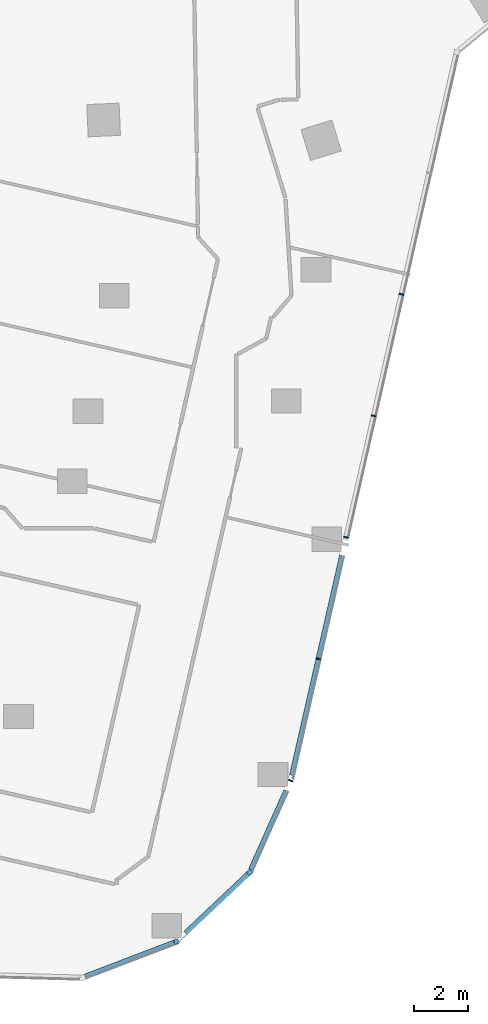
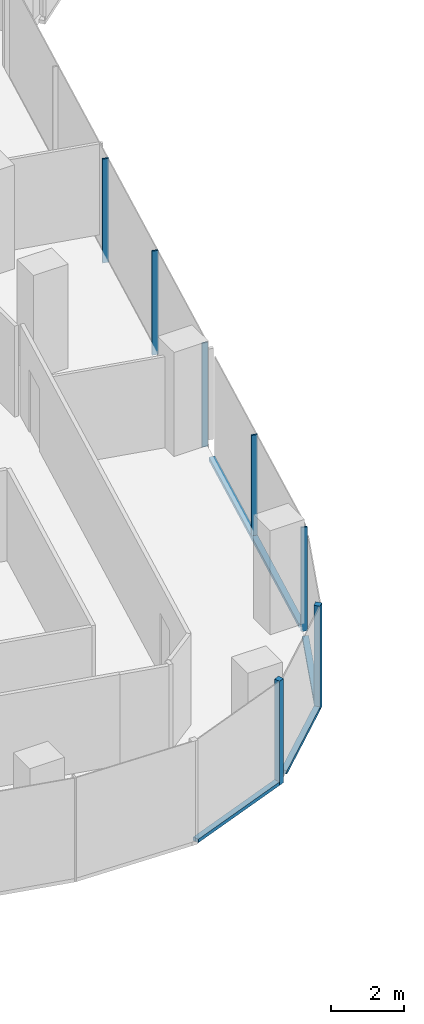
# One storey, part 5 of 24: 11 members, 4 elements without a shape of their own.
"""IFC4 building model written with IfcOpenShell, lengths in metres."""

from ifc_helpers import new_model, si_unit, direction, frame, origin, origin_2d, place, context, subcontext, project, spatial, rectangle, extrude, material, material_profile, profile_set, type_object, element, aggregate, save


model = new_model("IFC4")

# Units and contexts
model_context = context("Model", 3, precision=1e-05, world=origin(), true_north=direction((0.0, 1.0)))
body_context = subcontext(model_context, "Body", "Model", "MODEL_VIEW")
ifc_project = project(units=[si_unit("LENGTHUNIT", "METRE"), si_unit("AREAUNIT", "SQUARE_METRE"), si_unit("VOLUMEUNIT", "CUBIC_METRE"), si_unit("PLANEANGLEUNIT", "RADIAN"), si_unit("MASSUNIT", "GRAM", prefix="KILO")], contexts=[model_context])

# Site, building, storey
site_placement = place(None, origin())
site = spatial("IfcSite", under=ifc_project, at=site_placement, CompositionType="ELEMENT")
building_placement = place(site_placement, origin())
building = spatial("IfcBuilding", under=site, at=building_placement, Name="Orlundy Tower", CompositionType="ELEMENT")
storey_placement = place(building_placement, frame((0.0, 0.0, 174.10009765625)))
storey = spatial("IfcBuildingStorey", under=building, at=storey_placement, Name="L45", CompositionType="ELEMENT", Elevation=174.10009765625)

# Curtain wall, member
ifc_material_1 = material(Name="Aluminium bronze anodised", Category="aluminium")
curtain_wall_type = type_object("IfcCurtainWallType", Name="CW1 wall", PredefinedType="NOTDEFINED", material=ifc_material_1)
curtain_wall_1_placement = place(storey_placement, origin())
curtain_wall_1 = element("IfcCurtainWall", 1, at=curtain_wall_1_placement, inside=storey, type_object=curtain_wall_type, Name="CW1 run 020", PredefinedType="NOTDEFINED")
ifc_material_2 = material(Name="Aluminium bronze anodised", Category="aluminium")
ifc_material_profile_1 = material_profile(ifc_material_2, rectangle(XDim=0.179931640625, YDim=0.179931640625, at=origin_2d()), Name="CW1 corner post 180x180")
ifc_profile_set_1 = profile_set([ifc_material_profile_1], Name="Aluminium bronze anodised")
member_type_1 = type_object("IfcMemberType", Name="CW1 corner post 180x180", PredefinedType="MULLION", material=ifc_profile_set_1)
member_1_placement = place(storey_placement, frame((6.73486328125, -57.60498046875, -0.420166015625), z_axis=(0.0, 0.0, 1.0), x_axis=(0.687280644864, -0.726391984534, 0.0)))
member_1 = element("IfcMember", 2, at=member_1_placement, type_object=member_type_1, Name="CW1 mullion 50", PredefinedType="MULLION", context=body_context, shape_type="SweptSolid", body=[
    extrude(rectangle(XDim=0.179931640625, YDim=0.179931640625, at=origin_2d()), origin(), (0.0, 0.0, 1.0), 3.5),
])

curtain_wall_2_placement = place(storey_placement, origin())
curtain_wall_2 = element("IfcCurtainWall", 3, at=curtain_wall_2_placement, inside=storey, type_object=curtain_wall_type, Name="CW1 run 021", PredefinedType="NOTDEFINED")
member_2_placement = place(storey_placement, frame((4.015869140625, -60.177734375, -0.420166015625), z_axis=(0.0, 0.0, 1.0), x_axis=(0.356971292489, -0.934115354942, 0.0)))
member_2 = element("IfcMember", 4, at=member_2_placement, type_object=member_type_1, Name="CW1 mullion 51", PredefinedType="MULLION", context=body_context, shape_type="SweptSolid", body=[
    extrude(rectangle(XDim=0.179931640625, YDim=0.179931640625, at=origin_2d()), origin(), (0.0, 0.0, 1.0), 3.5),
])

# Curtain wall, members
curtain_wall_3_placement = place(storey_placement, origin())
curtain_wall_3 = element("IfcCurtainWall", 5, at=curtain_wall_3_placement, inside=storey, type_object=curtain_wall_type, Name="CW1 run 018", PredefinedType="NOTDEFINED")
ifc_material_3 = material(Name="Aluminium bronze anodised", Category="aluminium")
ifc_material_profile_2 = material_profile(ifc_material_3, rectangle(XDim=0.179931640625, YDim=0.050048828125, at=origin_2d()), Name="CW1 mullion 50x180")
ifc_profile_set_2 = profile_set([ifc_material_profile_2], Name="Aluminium bronze anodised")
member_type_2 = type_object("IfcMemberType", Name="CW1 mullion 50x180", PredefinedType="MULLION", material=ifc_profile_set_2)
member_3_placement = place(storey_placement, frame((12.374755859375, -36.1279296875, -0.420166015625), z_axis=(0.0, 0.0, 1.0), x_axis=(0.975022425628, -0.222106437373, 0.0)))
member_3 = element("IfcMember", 6, at=member_3_placement, type_object=member_type_2, Name="CW1 mullion 45", PredefinedType="MULLION", context=body_context, shape_type="SweptSolid", body=[
    extrude(rectangle(XDim=0.179931640625, YDim=0.050048828125, at=origin_2d()), origin(), (0.0, 0.0, 1.0), 3.5),
])
member_4_placement = place(storey_placement, frame((11.34619140625, -40.64306640625, -0.420166015625), z_axis=(0.0, 0.0, 1.0), x_axis=(0.975022425628, -0.222106437373, 0.0)))
member_4 = element("IfcMember", 7, at=member_4_placement, type_object=member_type_2, Name="CW1 mullion 46", PredefinedType="MULLION", context=body_context, shape_type="SweptSolid", body=[
    extrude(rectangle(XDim=0.179931640625, YDim=0.050048828125, at=origin_2d()), origin(), (0.0, 0.0, 1.0), 3.5),
])
member_5_placement = place(storey_placement, frame((10.31787109375, -45.157958984375, -0.420166015625), z_axis=(0.0, 0.0, 1.0), x_axis=(0.975022425628, -0.222106437373, 0.0)))
member_5 = element("IfcMember", 8, at=member_5_placement, type_object=member_type_2, Name="CW1 mullion 47", PredefinedType="MULLION", context=body_context, shape_type="SweptSolid", body=[
    extrude(rectangle(XDim=0.179931640625, YDim=0.050048828125, at=origin_2d()), origin(), (0.0, 0.0, 1.0), 3.5),
])
member_6_placement = place(storey_placement, frame((9.289306640625, -49.673095703125, -0.420166015625), z_axis=(0.0, 0.0, 1.0), x_axis=(0.975022425628, -0.222106437373, 0.0)))
member_6 = element("IfcMember", 9, at=member_6_placement, type_object=member_type_2, Name="CW1 mullion 48", PredefinedType="MULLION", context=body_context, shape_type="SweptSolid", body=[
    extrude(rectangle(XDim=0.179931640625, YDim=0.050048828125, at=origin_2d()), origin(), (0.0, 0.0, 1.0), 3.5),
])

# Curtain wall, member
curtain_wall_4_placement = place(storey_placement, origin())
curtain_wall_4 = element("IfcCurtainWall", 10, at=curtain_wall_4_placement, inside=storey, type_object=curtain_wall_type, Name="CW1 run 019", PredefinedType="NOTDEFINED")
member_7_placement = place(storey_placement, frame((8.2587890625, -54.196533203125, -0.420166015625), z_axis=(0.0, 0.0, 1.0), x_axis=(0.948538326866, -0.316662347725, 0.0)))
member_7 = element("IfcMember", 11, at=member_7_placement, type_object=member_type_2, Name="CW1 mullion 49", PredefinedType="MULLION", context=body_context, shape_type="SweptSolid", body=[
    extrude(rectangle(XDim=0.179931640625, YDim=0.050048828125, at=origin_2d()), origin(), (0.0, 0.0, 1.0), 3.5),
])

# Member
ifc_material_4 = material(Name="Aluminium bronze anodised", Category="aluminium")
ifc_material_profile_3 = material_profile(ifc_material_4, rectangle(XDim=0.179931640625, YDim=0.1201171875, at=origin_2d()), Name="CW1 transom 180x120")
ifc_profile_set_3 = profile_set([ifc_material_profile_3], Name="Aluminium bronze anodised")
member_type_3 = type_object("IfcMemberType", Name="CW1 transom 180x120", PredefinedType="USERDEFINED", material=ifc_profile_set_3)
member_8_placement = place(storey_placement, frame((10.165283203125, -45.826904296875, -0.360107421875), z_axis=(-0.222097782394, -0.975024397159, 0.0), x_axis=(0.975024397159, -0.222097782394, 0.0)))
member_8 = element("IfcMember", 12, at=member_8_placement, type_object=member_type_3, Name="CW1 transom", ObjectType="TRANSOM", PredefinedType="USERDEFINED", context=body_context, shape_type="SweptSolid", body=[
    extrude(rectangle(XDim=0.179931640625, YDim=0.1201171875, at=origin_2d()), origin(), (0.0, 0.0, 1.0), 8.389404296875),
])

aggregate(curtain_wall_3, [member_3, member_4, member_5, member_6, member_8])

member_9_placement = place(storey_placement, frame((8.091796875, -54.570068359375, -0.360107421875), z_axis=(-0.408152053021, -0.912913961781, 0.0), x_axis=(0.912913961781, -0.408152053021, 0.0)))
member_9 = element("IfcMember", 13, at=member_9_placement, type_object=member_type_3, Name="CW1 transom", ObjectType="TRANSOM", PredefinedType="USERDEFINED", context=body_context, shape_type="SweptSolid", body=[
    extrude(rectangle(XDim=0.179931640625, YDim=0.1201171875, at=origin_2d()), origin(), (0.0, 0.0, 1.0), 3.22705078125),
])

aggregate(curtain_wall_4, [member_7, member_9])

member_10_placement = place(storey_placement, frame((6.66943359375, -57.6669921875, -0.360107421875), z_axis=(-0.726392140314, -0.687280480219, 0.0), x_axis=(0.687280480219, -0.726392140314, 0.0)))
member_10 = element("IfcMember", 14, at=member_10_placement, type_object=member_type_3, Name="CW1 transom", ObjectType="TRANSOM", PredefinedType="USERDEFINED", context=body_context, shape_type="SweptSolid", body=[
    extrude(rectangle(XDim=0.179931640625, YDim=0.1201171875, at=origin_2d()), origin(), (0.0, 0.0, 1.0), 3.196044921875),
])

aggregate(curtain_wall_1, [member_1, member_10])

member_11_placement = place(storey_placement, frame((3.931884765625, -60.209716796875, -0.360107421875), z_axis=(-0.934106404505, -0.356994712934, 0.0), x_axis=(0.356994712934, -0.934106404505, 0.0)))
member_11 = element("IfcMember", 15, at=member_11_placement, type_object=member_type_3, Name="CW1 transom", ObjectType="TRANSOM", PredefinedType="USERDEFINED", context=body_context, shape_type="SweptSolid", body=[
    extrude(rectangle(XDim=0.179931640625, YDim=0.1201171875, at=origin_2d()), origin(), (0.0, 0.0, 1.0), 3.5546875),
])

aggregate(curtain_wall_2, [member_2, member_11])

save(model, "model.ifc")
